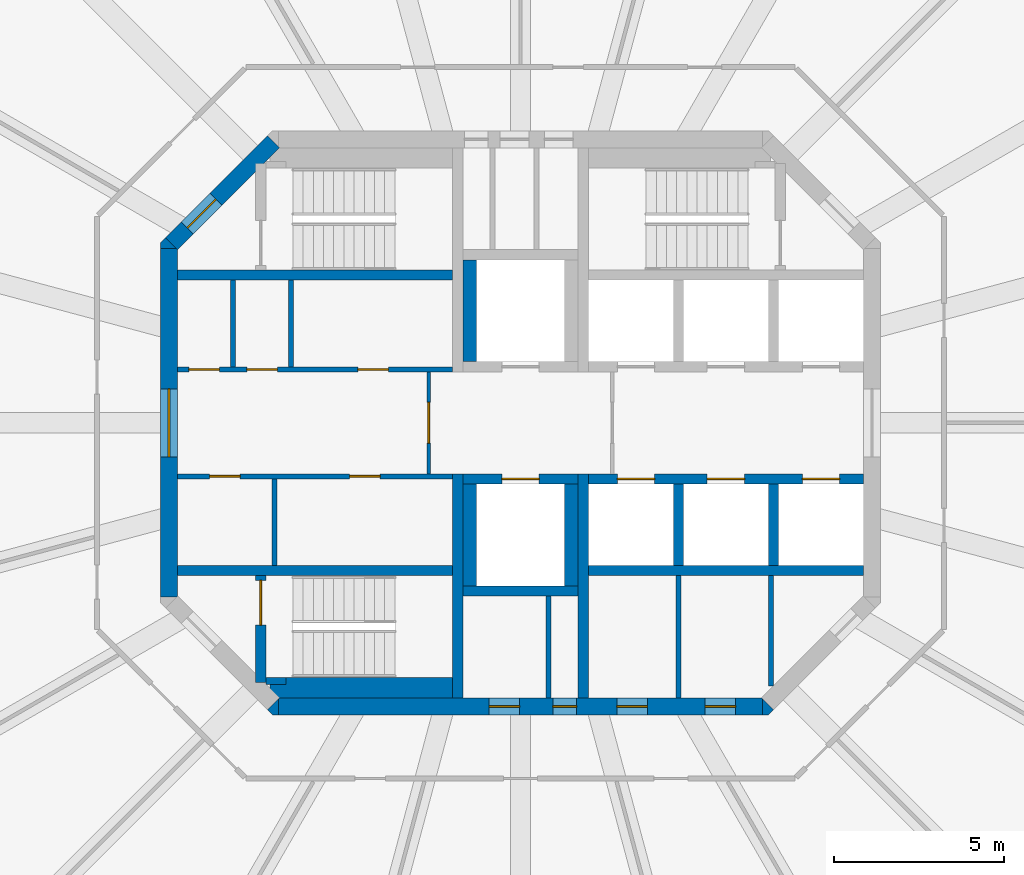
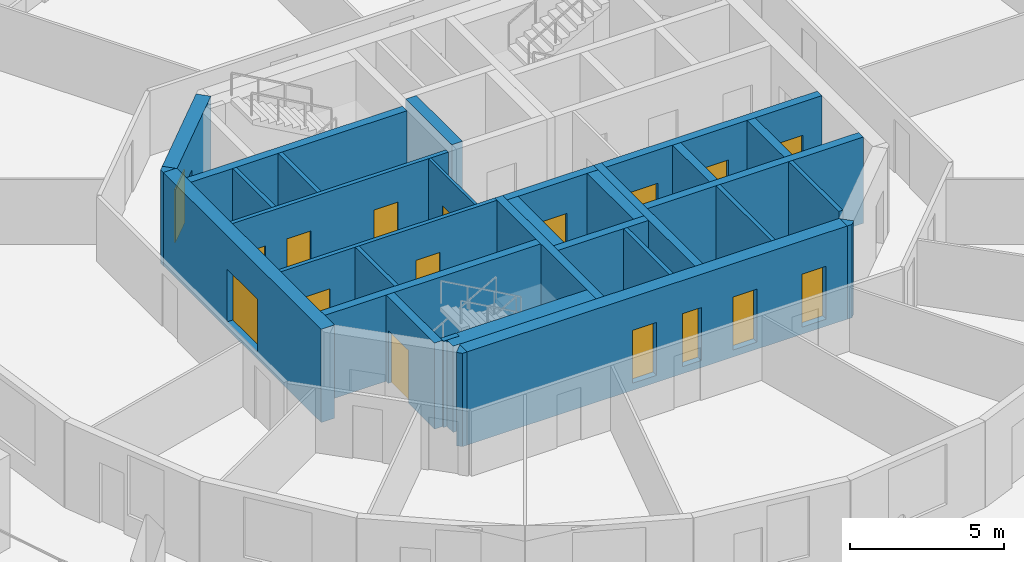
# One storey, part 3 of 8: 31 walls, 17 doors, 17 openings.
"""IFC4 building model written with IfcOpenShell, lengths in metres."""

from ifc_helpers import new_model, si_unit, direction, frame, frame_2d, origin, place, context, subcontext, project, spatial, polyline, rectangle, outline, extrude, material, layer, layer_set, type_object, element, fill, save


model = new_model("IFC4")

# Units and contexts
model_context = context("Model", 3, precision=1e-05, world=origin(), true_north=direction((0.0, 1.0)))
body_context = subcontext(model_context, "Body", "Model", "MODEL_VIEW")
ifc_project = project(units=[si_unit("LENGTHUNIT", "METRE"), si_unit("AREAUNIT", "SQUARE_METRE"), si_unit("VOLUMEUNIT", "CUBIC_METRE"), si_unit("PLANEANGLEUNIT", "RADIAN"), si_unit("MASSUNIT", "GRAM", prefix="KILO")], contexts=[model_context])

# Site, building, storey
site_placement = place(None, origin())
site = spatial("IfcSite", under=ifc_project, at=site_placement, CompositionType="ELEMENT")
building_placement = place(site_placement, origin())
building = spatial("IfcBuilding", under=site, at=building_placement, Name="Torre Triforio", CompositionType="ELEMENT")
storey_placement = place(building_placement, frame((0.0, 0.0, 261.199951171875)))
storey = spatial("IfcBuildingStorey", under=building, at=storey_placement, Name="L60", CompositionType="ELEMENT", Elevation=261.199951171875)

# Walls
ifc_material_1 = material(Name="Concrete C40", Category="concrete")
ifc_layer_1 = layer(ifc_material_1, 0.300048828125)
ifc_layer_set_1 = layer_set([ifc_layer_1], Name="Concrete C40")
wall_type_1 = type_object("IfcWallType", Name="Core wall 300 mm C40 EI 120", PredefinedType="SHEAR", material=ifc_layer_set_1)
for number, where, z_axis, x_axis, name in (
    (1, (-1.85009765625, -8.10009765625, 0.0), (0.0, 0.0, 1.0), (0.0, 1.0, 0.0), "Core wall"),
    (2, (1.85009765625, -8.10009765625, 0.0), (0.0, 0.0, 1.0), (0.0, 1.0, 0.0), "Core wall"),
):
    element("IfcWall", number, at=place(storey_placement, frame(where, z_axis=z_axis, x_axis=x_axis)), inside=storey, type_object=wall_type_1, Name=name, PredefinedType="SHEAR", context=body_context, shape_type="SweptSolid", body=[
        extrude(rectangle(XDim=6.60009765625, YDim=0.300048828125, at=frame_2d((3.300048828125, 0.0))), origin(), (0.0, 0.0, 1.0), 3.420166015625),
    ])

# Wall, openings, doors
ifc_layer_2 = layer(ifc_material_1, 0.5)
ifc_layer_set_2 = layer_set([ifc_layer_2], Name="Concrete C40")
wall_type_2 = type_object("IfcWallType", Name="Core wall 500 mm C40 EI 120", PredefinedType="SHEAR", material=ifc_layer_set_2)
wall_1_placement = place(storey_placement, frame((-7.1298828125, -8.35009765625, -0.280029296875), z_axis=(0.0, 0.0, 1.0), x_axis=(1.0, 0.0, 0.0)))
wall_1 = element("IfcWall", 3, at=wall_1_placement, inside=storey, type_object=wall_type_2, Name="Core wall", PredefinedType="SHEAR", context=body_context, shape_type="SweptSolid", body=[
    extrude(rectangle(XDim=14.259765625, YDim=0.5, at=frame_2d((7.1298828125, 0.0))), origin(), (0.0, 0.0, 1.0), 3.7001953125),
])
opening_1_placement = place(wall_1_placement, frame((8.080078125, 0.0, 0.280029296875)))
opening_1 = element("IfcOpeningElement", 4, at=opening_1_placement, cuts=wall_1, Name="Opening RISER-S", PredefinedType="OPENING", context=body_context, shape_type="SweptSolid", body=[
    extrude(rectangle(XDim=0.699951171875, YDim=2.10009765625, at=frame_2d((0.35009765625, 1.050048828125))), frame((0.0, 0.260009765625, 0.0), z_axis=(0.0, -1.0, 0.0), x_axis=(1.0, 0.0, 0.0)), (0.0, 0.0, 1.0), 0.52001953125),
])
opening_2_placement = place(wall_1_placement, frame((6.205078125, 0.0, 0.280029296875)))
opening_2 = element("IfcOpeningElement", 5, at=opening_2_placement, cuts=wall_1, Name="Opening SW-01B", PredefinedType="OPENING", context=body_context, shape_type="SweptSolid", body=[
    extrude(rectangle(XDim=0.89990234375, YDim=2.10009765625, at=frame_2d((0.449951171875, 1.050048828125))), frame((0.0, 0.260009765625, 0.0), z_axis=(0.0, -1.0, 0.0), x_axis=(1.0, 0.0, 0.0)), (0.0, 0.0, 1.0), 0.52001953125),
])
opening_3_placement = place(wall_1_placement, frame((9.967041015625, 0.0, 0.280029296875)))
opening_3 = element("IfcOpeningElement", 6, at=opening_3_placement, cuts=wall_1, Name="Opening SE-01A", PredefinedType="OPENING", context=body_context, shape_type="SweptSolid", body=[
    extrude(rectangle(XDim=0.89990234375, YDim=2.10009765625, at=frame_2d((0.449951171875, 1.050048828125))), frame((0.0, 0.260009765625, 0.0), z_axis=(0.0, -1.0, 0.0), x_axis=(1.0, 0.0, 0.0)), (0.0, 0.0, 1.0), 0.52001953125),
])
opening_4_placement = place(wall_1_placement, frame((12.56689453125, 0.0, 0.280029296875)))
opening_4 = element("IfcOpeningElement", 7, at=opening_4_placement, cuts=wall_1, Name="Opening SE-02", PredefinedType="OPENING", context=body_context, shape_type="SweptSolid", body=[
    extrude(rectangle(XDim=0.89990234375, YDim=2.10009765625, at=frame_2d((0.449951171875, 1.050048828125))), frame((0.0, 0.260009765625, 0.0), z_axis=(0.0, -1.0, 0.0), x_axis=(1.0, 0.0, 0.0)), (0.0, 0.0, 1.0), 0.52001953125),
])
ifc_material_2 = material(Name="Hollow metal fire door leaf")
door_type_1 = type_object("IfcDoorType", Name="Riser door 700 x 2100 EI 60", OperationType="NOTDEFINED", PredefinedType="DOOR", material=ifc_material_2)
door_1_placement = place(opening_1_placement, origin())
door_1 = element("IfcDoor", 8, at=door_1_placement, inside=storey, type_object=door_type_1, Name="Core door RISER-S", OperationType="SINGLE_SWING_RIGHT", OverallHeight=2.10009765625, OverallWidth=0.699951171875, PredefinedType="DOOR", context=body_context, shape_type="SweptSolid", body=[
    extrude(rectangle(XDim=0.699951171875, YDim=2.10009765625, at=frame_2d((0.35009765625, 1.050048828125))), frame((0.0, 0.02490234375, 0.0), z_axis=(0.0, -1.0, 0.0), x_axis=(1.0, 0.0, 0.0)), (0.0, 0.0, 1.0), 0.050048828125),
])
fill(opening_1, door_1)
door_type_2 = type_object("IfcDoorType", Name="Room door 900 x 2100 EI 60", OperationType="NOTDEFINED", PredefinedType="DOOR", material=ifc_material_2)
door_2_placement = place(opening_2_placement, origin())
door_2 = element("IfcDoor", 9, at=door_2_placement, inside=storey, type_object=door_type_2, Name="Core door SW-01", OperationType="SINGLE_SWING_LEFT", OverallHeight=2.10009765625, OverallWidth=0.89990234375, PredefinedType="DOOR", context=body_context, shape_type="SweptSolid", body=[
    extrude(rectangle(XDim=0.89990234375, YDim=2.10009765625, at=frame_2d((0.449951171875, 1.050048828125))), frame((0.0, 0.02490234375, 0.0), z_axis=(0.0, -1.0, 0.0), x_axis=(1.0, 0.0, 0.0)), (0.0, 0.0, 1.0), 0.050048828125),
])
fill(opening_2, door_2)
door_3_placement = place(opening_3_placement, origin())
door_3 = element("IfcDoor", 10, at=door_3_placement, inside=storey, type_object=door_type_2, Name="Core door SE-01", OperationType="SINGLE_SWING_LEFT", OverallHeight=2.10009765625, OverallWidth=0.89990234375, PredefinedType="DOOR", context=body_context, shape_type="SweptSolid", body=[
    extrude(rectangle(XDim=0.89990234375, YDim=2.10009765625, at=frame_2d((0.449951171875, 1.050048828125))), frame((0.0, 0.02490234375, 0.0), z_axis=(0.0, -1.0, 0.0), x_axis=(1.0, 0.0, 0.0)), (0.0, 0.0, 1.0), 0.050048828125),
])
fill(opening_3, door_3)
door_4_placement = place(opening_4_placement, origin())
door_4 = element("IfcDoor", 11, at=door_4_placement, inside=storey, type_object=door_type_2, Name="Core door SE-02", OperationType="SINGLE_SWING_LEFT", OverallHeight=2.10009765625, OverallWidth=0.89990234375, PredefinedType="DOOR", context=body_context, shape_type="SweptSolid", body=[
    extrude(rectangle(XDim=0.89990234375, YDim=2.10009765625, at=frame_2d((0.449951171875, 1.050048828125))), frame((0.0, 0.02490234375, 0.0), z_axis=(0.0, -1.0, 0.0), x_axis=(1.0, 0.0, 0.0)), (0.0, 0.0, 1.0), 0.050048828125),
])
fill(opening_4, door_4)

# Wall, opening, door
wall_2_placement = place(storey_placement, frame((-10.35009765625, -5.1298828125, -0.280029296875), z_axis=(0.0, 0.0, 1.0), x_axis=(0.0, 1.0, 0.0)))
wall_2 = element("IfcWall", 12, at=wall_2_placement, inside=storey, type_object=wall_type_2, Name="Core wall", PredefinedType="SHEAR", context=body_context, shape_type="SweptSolid", body=[
    extrude(rectangle(XDim=10.259765625, YDim=0.5, at=frame_2d((5.1298828125, 0.0))), origin(), (0.0, 0.0, 1.0), 3.7001953125),
])
opening_5_placement = place(wall_2_placement, frame((4.1298828125, 0.0, 0.280029296875)))
opening_5 = element("IfcOpeningElement", 13, at=opening_5_placement, cuts=wall_2, Name="Opening W-RING", PredefinedType="OPENING", context=body_context, shape_type="SweptSolid", body=[
    extrude(rectangle(XDim=2.0, YDim=2.10009765625, at=frame_2d((1.0, 1.050048828125))), frame((0.0, 0.260009765625, 0.0), z_axis=(0.0, -1.0, 0.0), x_axis=(1.0, 0.0, 0.0)), (0.0, 0.0, 1.0), 0.52001953125),
])
door_type_3 = type_object("IfcDoorType", Name="Lobby door 2000 x 2100 EI 60", OperationType="DOUBLE_DOOR_SINGLE_SWING", PredefinedType="DOOR", material=ifc_material_2)
door_5_placement = place(opening_5_placement, origin())
door_5 = element("IfcDoor", 14, at=door_5_placement, inside=storey, type_object=door_type_3, Name="Core door W-RING", OperationType="DOUBLE_DOOR_SINGLE_SWING", OverallHeight=2.10009765625, OverallWidth=2.0, PredefinedType="DOOR", context=body_context, shape_type="SweptSolid", body=[
    extrude(rectangle(XDim=2.0, YDim=2.10009765625, at=frame_2d((1.0, 1.050048828125))), frame((0.0, 0.02490234375, 0.0), z_axis=(0.0, -1.0, 0.0), x_axis=(1.0, 0.0, 0.0)), (0.0, 0.0, 1.0), 0.050048828125),
])
fill(opening_5, door_5)

wall_3_placement = place(storey_placement, frame((-10.27685546875, 5.27685546875, -0.280029296875), z_axis=(0.0, 0.0, 1.0), x_axis=(0.707106781187, 0.707106781187, 0.0)))
wall_3 = element("IfcWall", 15, at=wall_3_placement, inside=storey, type_object=wall_type_2, Name="Core wall", PredefinedType="SHEAR", context=body_context, shape_type="SweptSolid", body=[
    extrude(rectangle(XDim=4.24267578125, YDim=0.5, at=frame_2d((2.121337890625, 0.0))), origin(), (0.0, 0.0, 1.0), 3.7001953125),
])
opening_6_placement = place(wall_3_placement, frame((0.64990234375, 0.0, 0.280029296875)))
opening_6 = element("IfcOpeningElement", 16, at=opening_6_placement, cuts=wall_3, Name="Opening ST1-EXIT", PredefinedType="OPENING", context=body_context, shape_type="SweptSolid", body=[
    extrude(rectangle(XDim=1.199951171875, YDim=2.10009765625, at=frame_2d((0.60009765625, 1.050048828125))), frame((0.0, 0.260009765625, 0.0), z_axis=(0.0, -1.0, 0.0), x_axis=(1.0, 0.0, 0.0)), (0.0, 0.0, 1.0), 0.52001953125),
])
door_type_4 = type_object("IfcDoorType", Name="Stair lobby door 1200 x 2100 EI 60", OperationType="NOTDEFINED", PredefinedType="DOOR", material=ifc_material_2)
door_6_placement = place(opening_6_placement, origin())
door_6 = element("IfcDoor", 17, at=door_6_placement, inside=storey, type_object=door_type_4, Name="Core door ST1-EXIT", OperationType="SINGLE_SWING_RIGHT", OverallHeight=2.10009765625, OverallWidth=1.199951171875, PredefinedType="DOOR", context=body_context, shape_type="SweptSolid", body=[
    extrude(rectangle(XDim=1.199951171875, YDim=2.10009765625, at=frame_2d((0.60009765625, 1.050048828125))), frame((0.0, 0.02490234375, 0.0), z_axis=(0.0, -1.0, 0.0), x_axis=(1.0, 0.0, 0.0)), (0.0, 0.0, 1.0), 0.050048828125),
])
fill(opening_6, door_6)

# Walls
wall_4_placement = place(storey_placement, frame((0.0, 0.0, -0.280029296875)))
element("IfcWall", 18, at=wall_4_placement, inside=storey, type_object=wall_type_2, Name="Core wall", PredefinedType="SHEAR", context=body_context, shape_type="SweptSolid", body=[
    extrude(outline(polyline([(-7.30712890625, -8.60009765625), (-7.45361328125, -8.45361328125), (-7.1298828125, -8.1298828125), (-7.1298828125, -8.60009765625), (-7.30712890625, -8.60009765625)])), origin(), (0.0, 0.0, 1.0), 3.7001953125),
])
wall_5_placement = place(storey_placement, frame((0.0, 0.0, -0.280029296875)))
element("IfcWall", 19, at=wall_5_placement, inside=storey, type_object=wall_type_2, Name="Core wall", PredefinedType="SHEAR", context=body_context, shape_type="SweptSolid", body=[
    extrude(outline(polyline([(7.30712890625, -8.60009765625), (7.1298828125, -8.60009765625), (7.1298828125, -8.1298828125), (7.45361328125, -8.45361328125), (7.30712890625, -8.60009765625)])), origin(), (0.0, 0.0, 1.0), 3.7001953125),
])
wall_6_placement = place(storey_placement, frame((0.0, 0.0, -0.280029296875)))
element("IfcWall", 20, at=wall_6_placement, inside=storey, type_object=wall_type_2, Name="Core wall", PredefinedType="SHEAR", context=body_context, shape_type="SweptSolid", body=[
    extrude(outline(polyline([(-10.45361328125, 5.45361328125), (-10.1298828125, 5.1298828125), (-10.60009765625, 5.1298828125), (-10.60009765625, 5.30712890625), (-10.45361328125, 5.45361328125)])), origin(), (0.0, 0.0, 1.0), 3.7001953125),
])

# Wall, opening, door
ifc_material_3 = material(Name="Block and board partition")
ifc_layer_3 = layer(ifc_material_3, 0.10009765625)
ifc_layer_set_3 = layer_set([ifc_layer_3], Name="Block and board partition")
wall_type_3 = type_object("IfcWallType", Name="Partition 100 mm EI 120", PredefinedType="PARTITIONING", material=ifc_layer_set_3)
wall_7_placement = place(storey_placement, frame((-2.699951171875, -1.5, 0.0), z_axis=(0.0, 0.0, 1.0), x_axis=(0.0, 1.0, 0.0)))
wall_7 = element("IfcWall", 21, at=wall_7_placement, inside=storey, type_object=wall_type_3, Name="Partition", PredefinedType="PARTITIONING", context=body_context, shape_type="SweptSolid", body=[
    extrude(rectangle(XDim=3.0, YDim=0.10009765625, at=frame_2d((1.5, 0.0))), origin(), (0.0, 0.0, 1.0), 3.420166015625),
])
opening_7_placement = place(wall_7_placement, frame((0.89990234375, 0.0, 0.0)))
opening_7 = element("IfcOpeningElement", 22, at=opening_7_placement, cuts=wall_7, Name="Opening FF-W", PredefinedType="OPENING", context=body_context, shape_type="SweptSolid", body=[
    extrude(rectangle(XDim=1.199951171875, YDim=2.10009765625, at=frame_2d((0.60009765625, 1.050048828125))), frame((0.0, 0.06005859375, 0.0), z_axis=(0.0, -1.0, 0.0), x_axis=(1.0, 0.0, 0.0)), (0.0, 0.0, 1.0), 0.1201171875),
])
door_type_5 = type_object("IfcDoorType", Name="Fire-fighting lobby door 1200 x 2100 EI 60", OperationType="NOTDEFINED", PredefinedType="DOOR", material=ifc_material_2)
door_7_placement = place(opening_7_placement, origin())
door_7 = element("IfcDoor", 23, at=door_7_placement, inside=storey, type_object=door_type_5, Name="Core door FF-W", OperationType="SINGLE_SWING_LEFT", OverallHeight=2.10009765625, OverallWidth=1.199951171875, PredefinedType="DOOR", context=body_context, shape_type="SweptSolid", body=[
    extrude(rectangle(XDim=1.199951171875, YDim=2.10009765625, at=frame_2d((0.60009765625, 1.050048828125))), frame((0.0, 0.02490234375, 0.0), z_axis=(0.0, -1.0, 0.0), x_axis=(1.0, 0.0, 0.0)), (0.0, 0.0, 1.0), 0.050048828125),
])
fill(opening_7, door_7)

# Walls
ifc_layer_4 = layer(ifc_material_3, 0.14990234375)
ifc_layer_set_4 = layer_set([ifc_layer_4], Name="Block and board partition")
wall_type_4 = type_object("IfcWallType", Name="Partition 150 mm", PredefinedType="PARTITIONING", material=ifc_layer_set_4)
wall_8_placement = place(storey_placement, frame((4.64892578125, -8.10009765625, 0.0), z_axis=(0.0, 0.0, 1.0), x_axis=(0.0, 1.0, 0.0)))
element("IfcWall", 24, at=wall_8_placement, inside=storey, type_object=wall_type_4, Name="Partition", PredefinedType="PARTITIONING", context=body_context, shape_type="SweptSolid", body=[
    extrude(rectangle(XDim=3.60009765625, YDim=0.14990234375, at=frame_2d((1.800048828125, 0.0))), origin(), (0.0, 0.0, 1.0), 3.420166015625),
])
wall_9_placement = place(storey_placement, frame((7.373046875, -7.751953125, 0.0), z_axis=(0.0, 0.0, 1.0), x_axis=(0.0, 1.0, 0.0)))
element("IfcWall", 25, at=wall_9_placement, inside=storey, type_object=wall_type_4, Name="Partition", PredefinedType="PARTITIONING", context=body_context, shape_type="SweptSolid", body=[
    extrude(rectangle(XDim=3.251953125, YDim=0.14990234375, at=frame_2d((1.6259765625, 0.0))), origin(), (0.0, 0.0, 1.0), 3.420166015625),
])
for number, where, z_axis, x_axis, name in (
    (26, (-8.465087890625, 1.64990234375, 0.0), (0.0, 0.0, 1.0), (0.0, 1.0, 0.0), "Partition"),
    (27, (-6.7548828125, 1.64990234375, 0.0), (0.0, 0.0, 1.0), (0.0, 1.0, 0.0), "Partition"),
    (28, (-7.242431640625, -4.199951171875, 0.0), (0.0, 0.0, 1.0), (0.0, 1.0, 0.0), "Partition"),
):
    element("IfcWall", number, at=place(storey_placement, frame(where, z_axis=z_axis, x_axis=x_axis)), inside=storey, type_object=wall_type_4, Name=name, PredefinedType="PARTITIONING", context=body_context, shape_type="SweptSolid", body=[
        extrude(rectangle(XDim=2.550048828125, YDim=0.14990234375, at=frame_2d((1.27490234375, 0.0))), origin(), (0.0, 0.0, 1.0), 3.420166015625),
    ])
ifc_layer_5 = layer(ifc_material_3, 0.14990234375)
ifc_layer_set_5 = layer_set([ifc_layer_5], Name="Block and board partition")
wall_type_5 = type_object("IfcWallType", Name="Partition 150 mm EI 120", PredefinedType="PARTITIONING", material=ifc_layer_set_5)
wall_10_placement = place(storey_placement, frame((0.824951171875, -8.10009765625, 0.0), z_axis=(0.0, 0.0, 1.0), x_axis=(0.0, 1.0, 0.0)))
element("IfcWall", 29, at=wall_10_placement, inside=storey, type_object=wall_type_5, Name="Partition", PredefinedType="PARTITIONING", context=body_context, shape_type="SweptSolid", body=[
    extrude(rectangle(XDim=3.0, YDim=0.14990234375, at=frame_2d((1.5, 0.0))), origin(), (0.0, 0.0, 1.0), 3.420166015625),
])

# Wall, openings, doors
wall_11_placement = place(storey_placement, frame((-10.10009765625, 1.574951171875, 0.0), z_axis=(0.0, 0.0, 1.0), x_axis=(1.0, 0.0, 0.0)))
wall_11 = element("IfcWall", 30, at=wall_11_placement, inside=storey, type_object=wall_type_5, Name="Partition", PredefinedType="PARTITIONING", context=body_context, shape_type="SweptSolid", body=[
    extrude(rectangle(XDim=8.10009765625, YDim=0.14990234375, at=frame_2d((4.050048828125, 0.0))), origin(), (0.0, 0.0, 1.0), 3.420166015625),
])
opening_8_placement = place(wall_11_placement, frame((0.330078125, 0.0, 0.0)))
opening_8 = element("IfcOpeningElement", 31, at=opening_8_placement, cuts=wall_11, Name="Opening FN-01", PredefinedType="OPENING", context=body_context, shape_type="SweptSolid", body=[
    extrude(rectangle(XDim=0.89990234375, YDim=2.10009765625, at=frame_2d((0.449951171875, 1.050048828125))), frame((0.0, 0.0849609375, 0.0), z_axis=(0.0, -1.0, 0.0), x_axis=(1.0, 0.0, 0.0)), (0.0, 0.0, 1.0), 0.169921875),
])
opening_9_placement = place(wall_11_placement, frame((2.0400390625, 0.0, 0.0)))
opening_9 = element("IfcOpeningElement", 32, at=opening_9_placement, cuts=wall_11, Name="Opening FN-02", PredefinedType="OPENING", context=body_context, shape_type="SweptSolid", body=[
    extrude(rectangle(XDim=0.89990234375, YDim=2.10009765625, at=frame_2d((0.449951171875, 1.050048828125))), frame((0.0, 0.0849609375, 0.0), z_axis=(0.0, -1.0, 0.0), x_axis=(1.0, 0.0, 0.0)), (0.0, 0.0, 1.0), 0.169921875),
])
opening_10_placement = place(wall_11_placement, frame((5.31005859375, 0.0, 0.0)))
opening_10 = element("IfcOpeningElement", 33, at=opening_10_placement, cuts=wall_11, Name="Opening FN-03", PredefinedType="OPENING", context=body_context, shape_type="SweptSolid", body=[
    extrude(rectangle(XDim=0.89990234375, YDim=2.10009765625, at=frame_2d((0.449951171875, 1.050048828125))), frame((0.0, 0.0849609375, 0.0), z_axis=(0.0, -1.0, 0.0), x_axis=(1.0, 0.0, 0.0)), (0.0, 0.0, 1.0), 0.169921875),
])
door_8_placement = place(opening_8_placement, origin())
door_8 = element("IfcDoor", 34, at=door_8_placement, inside=storey, type_object=door_type_2, Name="Core door FN-01", OperationType="SINGLE_SWING_RIGHT", OverallHeight=2.10009765625, OverallWidth=0.89990234375, PredefinedType="DOOR", context=body_context, shape_type="SweptSolid", body=[
    extrude(rectangle(XDim=0.89990234375, YDim=2.10009765625, at=frame_2d((0.449951171875, 1.050048828125))), frame((0.0, 0.02490234375, 0.0), z_axis=(0.0, -1.0, 0.0), x_axis=(1.0, 0.0, 0.0)), (0.0, 0.0, 1.0), 0.050048828125),
])
fill(opening_8, door_8)
door_9_placement = place(opening_9_placement, origin())
door_9 = element("IfcDoor", 35, at=door_9_placement, inside=storey, type_object=door_type_2, Name="Core door FN-02", OperationType="SINGLE_SWING_RIGHT", OverallHeight=2.10009765625, OverallWidth=0.89990234375, PredefinedType="DOOR", context=body_context, shape_type="SweptSolid", body=[
    extrude(rectangle(XDim=0.89990234375, YDim=2.10009765625, at=frame_2d((0.449951171875, 1.050048828125))), frame((0.0, 0.02490234375, 0.0), z_axis=(0.0, -1.0, 0.0), x_axis=(1.0, 0.0, 0.0)), (0.0, 0.0, 1.0), 0.050048828125),
])
fill(opening_9, door_9)
door_10_placement = place(opening_10_placement, origin())
door_10 = element("IfcDoor", 36, at=door_10_placement, inside=storey, type_object=door_type_2, Name="Core door FN-03", OperationType="SINGLE_SWING_RIGHT", OverallHeight=2.10009765625, OverallWidth=0.89990234375, PredefinedType="DOOR", context=body_context, shape_type="SweptSolid", body=[
    extrude(rectangle(XDim=0.89990234375, YDim=2.10009765625, at=frame_2d((0.449951171875, 1.050048828125))), frame((0.0, 0.02490234375, 0.0), z_axis=(0.0, -1.0, 0.0), x_axis=(1.0, 0.0, 0.0)), (0.0, 0.0, 1.0), 0.050048828125),
])
fill(opening_10, door_10)

wall_12_placement = place(storey_placement, frame((-10.10009765625, -1.574951171875, 0.0), z_axis=(0.0, 0.0, 1.0), x_axis=(1.0, 0.0, 0.0)))
wall_12 = element("IfcWall", 37, at=wall_12_placement, inside=storey, type_object=wall_type_5, Name="Partition", PredefinedType="PARTITIONING", context=body_context, shape_type="SweptSolid", body=[
    extrude(rectangle(XDim=8.10009765625, YDim=0.14990234375, at=frame_2d((4.050048828125, 0.0))), origin(), (0.0, 0.0, 1.0), 3.420166015625),
])
opening_11_placement = place(wall_12_placement, frame((0.941162109375, 0.0, 0.0)))
opening_11 = element("IfcOpeningElement", 38, at=opening_11_placement, cuts=wall_12, Name="Opening FS-01", PredefinedType="OPENING", context=body_context, shape_type="SweptSolid", body=[
    extrude(rectangle(XDim=0.89990234375, YDim=2.10009765625, at=frame_2d((0.449951171875, 1.050048828125))), frame((0.0, 0.0849609375, 0.0), z_axis=(0.0, -1.0, 0.0), x_axis=(1.0, 0.0, 0.0)), (0.0, 0.0, 1.0), 0.169921875),
])
opening_12_placement = place(wall_12_placement, frame((5.066162109375, 0.0, 0.0)))
opening_12 = element("IfcOpeningElement", 39, at=opening_12_placement, cuts=wall_12, Name="Opening FS-02", PredefinedType="OPENING", context=body_context, shape_type="SweptSolid", body=[
    extrude(rectangle(XDim=0.89990234375, YDim=2.10009765625, at=frame_2d((0.449951171875, 1.050048828125))), frame((0.0, 0.0849609375, 0.0), z_axis=(0.0, -1.0, 0.0), x_axis=(1.0, 0.0, 0.0)), (0.0, 0.0, 1.0), 0.169921875),
])
door_11_placement = place(opening_11_placement, origin())
door_11 = element("IfcDoor", 40, at=door_11_placement, inside=storey, type_object=door_type_2, Name="Core door FS-01", OperationType="SINGLE_SWING_LEFT", OverallHeight=2.10009765625, OverallWidth=0.89990234375, PredefinedType="DOOR", context=body_context, shape_type="SweptSolid", body=[
    extrude(rectangle(XDim=0.89990234375, YDim=2.10009765625, at=frame_2d((0.449951171875, 1.050048828125))), frame((0.0, 0.02490234375, 0.0), z_axis=(0.0, -1.0, 0.0), x_axis=(1.0, 0.0, 0.0)), (0.0, 0.0, 1.0), 0.050048828125),
])
fill(opening_11, door_11)
door_12_placement = place(opening_12_placement, origin())
door_12 = element("IfcDoor", 41, at=door_12_placement, inside=storey, type_object=door_type_2, Name="Core door FS-02", OperationType="SINGLE_SWING_LEFT", OverallHeight=2.10009765625, OverallWidth=0.89990234375, PredefinedType="DOOR", context=body_context, shape_type="SweptSolid", body=[
    extrude(rectangle(XDim=0.89990234375, YDim=2.10009765625, at=frame_2d((0.449951171875, 1.050048828125))), frame((0.0, 0.02490234375, 0.0), z_axis=(0.0, -1.0, 0.0), x_axis=(1.0, 0.0, 0.0)), (0.0, 0.0, 1.0), 0.050048828125),
])
fill(opening_12, door_12)

# Walls
ifc_layer_6 = layer(ifc_material_1, 0.300048828125)
ifc_layer_set_6 = layer_set([ifc_layer_6], Name="Concrete C40")
wall_type_6 = type_object("IfcWallType", Name="Shaft wall 300 mm C40 EI 120", PredefinedType="SOLIDWALL", material=ifc_layer_set_6)
for number, where, z_axis, x_axis, name in (
    (42, (-10.10009765625, 4.35009765625, 0.0), (0.0, 0.0, 1.0), (1.0, 0.0, 0.0), "Shaft wall"),
    (43, (-10.10009765625, -4.35009765625, 0.0), (0.0, 0.0, 1.0), (1.0, 0.0, 0.0), "Shaft wall"),
    (44, (2.0, -4.35009765625, 0.0), (0.0, 0.0, 1.0), (1.0, 0.0, 0.0), "Shaft wall"),
):
    element("IfcWall", number, at=place(storey_placement, frame(where, z_axis=z_axis, x_axis=x_axis)), inside=storey, type_object=wall_type_6, Name=name, PredefinedType="SOLIDWALL", context=body_context, shape_type="SweptSolid", body=[
        extrude(rectangle(XDim=8.10009765625, YDim=0.300048828125, at=frame_2d((4.050048828125, 0.0))), origin(), (0.0, 0.0, 1.0), 3.420166015625),
    ])

# Wall, openings, doors
wall_13_placement = place(storey_placement, frame((2.0, -1.64990234375, 0.0), z_axis=(0.0, 0.0, 1.0), x_axis=(1.0, 0.0, 0.0)))
wall_13 = element("IfcWall", 45, at=wall_13_placement, inside=storey, type_object=wall_type_6, Name="Shaft wall", PredefinedType="SOLIDWALL", context=body_context, shape_type="SweptSolid", body=[
    extrude(rectangle(XDim=8.10009765625, YDim=0.300048828125, at=frame_2d((4.050048828125, 0.0))), origin(), (0.0, 0.0, 1.0), 3.420166015625),
])
opening_13_placement = place(wall_13_placement, frame((0.85009765625, 0.0, 0.0)))
opening_13 = element("IfcOpeningElement", 46, at=opening_13_placement, cuts=wall_13, Name="Opening LD", PredefinedType="OPENING", context=body_context, shape_type="SweptSolid", body=[
    extrude(rectangle(XDim=1.10009765625, YDim=2.10009765625, at=frame_2d((0.550048828125, 1.050048828125))), frame((0.0, 0.159912109375, 0.0), z_axis=(0.0, -1.0, 0.0), x_axis=(1.0, 0.0, 0.0)), (0.0, 0.0, 1.0), 0.320068359375),
])
opening_14_placement = place(wall_13_placement, frame((3.5, 0.0, 0.0)))
opening_14 = element("IfcOpeningElement", 47, at=opening_14_placement, cuts=wall_13, Name="Opening LD", PredefinedType="OPENING", context=body_context, shape_type="SweptSolid", body=[
    extrude(rectangle(XDim=1.10009765625, YDim=2.10009765625, at=frame_2d((0.550048828125, 1.050048828125))), frame((0.0, 0.159912109375, 0.0), z_axis=(0.0, -1.0, 0.0), x_axis=(1.0, 0.0, 0.0)), (0.0, 0.0, 1.0), 0.320068359375),
])
opening_15_placement = place(wall_13_placement, frame((6.300048828125, 0.0, 0.0)))
opening_15 = element("IfcOpeningElement", 48, at=opening_15_placement, cuts=wall_13, Name="Opening LD", PredefinedType="OPENING", context=body_context, shape_type="SweptSolid", body=[
    extrude(rectangle(XDim=1.10009765625, YDim=2.10009765625, at=frame_2d((0.550048828125, 1.050048828125))), frame((0.0, 0.159912109375, 0.0), z_axis=(0.0, -1.0, 0.0), x_axis=(1.0, 0.0, 0.0)), (0.0, 0.0, 1.0), 0.320068359375),
])
door_type_6 = type_object("IfcDoorType", Name="Landing door 1100 x 2100 EI 60", OperationType="DOUBLE_DOOR_SLIDING", PredefinedType="DOOR", material=ifc_material_2)
door_13_placement = place(opening_13_placement, origin())
door_13 = element("IfcDoor", 49, at=door_13_placement, inside=storey, type_object=door_type_6, Name="Landing door HR4", OperationType="DOUBLE_DOOR_SLIDING", OverallHeight=2.10009765625, OverallWidth=1.10009765625, PredefinedType="DOOR", context=body_context, shape_type="SweptSolid", body=[
    extrude(rectangle(XDim=1.10009765625, YDim=2.10009765625, at=frame_2d((0.550048828125, 1.050048828125))), frame((0.0, 0.02490234375, 0.0), z_axis=(0.0, -1.0, 0.0), x_axis=(1.0, 0.0, 0.0)), (0.0, 0.0, 1.0), 0.050048828125),
])
fill(opening_13, door_13)
door_14_placement = place(opening_14_placement, origin())
door_14 = element("IfcDoor", 50, at=door_14_placement, inside=storey, type_object=door_type_6, Name="Landing door HR5", OperationType="DOUBLE_DOOR_SLIDING", OverallHeight=2.10009765625, OverallWidth=1.10009765625, PredefinedType="DOOR", context=body_context, shape_type="SweptSolid", body=[
    extrude(rectangle(XDim=1.10009765625, YDim=2.10009765625, at=frame_2d((0.550048828125, 1.050048828125))), frame((0.0, 0.02490234375, 0.0), z_axis=(0.0, -1.0, 0.0), x_axis=(1.0, 0.0, 0.0)), (0.0, 0.0, 1.0), 0.050048828125),
])
fill(opening_14, door_14)
door_15_placement = place(opening_15_placement, origin())
door_15 = element("IfcDoor", 51, at=door_15_placement, inside=storey, type_object=door_type_6, Name="Landing door HR6", OperationType="DOUBLE_DOOR_SLIDING", OverallHeight=2.10009765625, OverallWidth=1.10009765625, PredefinedType="DOOR", context=body_context, shape_type="SweptSolid", body=[
    extrude(rectangle(XDim=1.10009765625, YDim=2.10009765625, at=frame_2d((0.550048828125, 1.050048828125))), frame((0.0, 0.02490234375, 0.0), z_axis=(0.0, -1.0, 0.0), x_axis=(1.0, 0.0, 0.0)), (0.0, 0.0, 1.0), 0.050048828125),
])
fill(opening_15, door_15)

# Walls
for number, where, z_axis, x_axis, name in (
    (52, (4.64990234375, -4.199951171875, 0.0), (0.0, 0.0, 1.0), (0.0, 1.0, 0.0), "Shaft wall"),
    (53, (7.449951171875, -4.199951171875, 0.0), (0.0, 0.0, 1.0), (0.0, 1.0, 0.0), "Shaft wall"),
):
    element("IfcWall", number, at=place(storey_placement, frame(where, z_axis=z_axis, x_axis=x_axis)), inside=storey, type_object=wall_type_6, Name=name, PredefinedType="SOLIDWALL", context=body_context, shape_type="SweptSolid", body=[
        extrude(rectangle(XDim=2.39990234375, YDim=0.300048828125, at=frame_2d((1.199951171875, 0.0))), origin(), (0.0, 0.0, 1.0), 3.420166015625),
    ])

# Wall, opening, door
wall_14_placement = place(storey_placement, frame((-1.699951171875, -1.64990234375, 0.0), z_axis=(0.0, 0.0, 1.0), x_axis=(1.0, 0.0, 0.0)))
wall_14 = element("IfcWall", 54, at=wall_14_placement, inside=storey, type_object=wall_type_6, Name="Shaft wall", PredefinedType="SOLIDWALL", context=body_context, shape_type="SweptSolid", body=[
    extrude(rectangle(XDim=3.39990234375, YDim=0.300048828125, at=frame_2d((1.699951171875, 0.0))), origin(), (0.0, 0.0, 1.0), 3.420166015625),
])
opening_16_placement = place(wall_14_placement, frame((1.14990234375, 0.0, 0.0)))
opening_16 = element("IfcOpeningElement", 55, at=opening_16_placement, cuts=wall_14, Name="Opening LD", PredefinedType="OPENING", context=body_context, shape_type="SweptSolid", body=[
    extrude(rectangle(XDim=1.10009765625, YDim=2.10009765625, at=frame_2d((0.550048828125, 1.050048828125))), frame((0.0, 0.159912109375, 0.0), z_axis=(0.0, -1.0, 0.0), x_axis=(1.0, 0.0, 0.0)), (0.0, 0.0, 1.0), 0.320068359375),
])
door_16_placement = place(opening_16_placement, origin())
door_16 = element("IfcDoor", 56, at=door_16_placement, inside=storey, type_object=door_type_6, Name="Landing door FFL2", OperationType="DOUBLE_DOOR_SLIDING", OverallHeight=2.10009765625, OverallWidth=1.10009765625, PredefinedType="DOOR", context=body_context, shape_type="SweptSolid", body=[
    extrude(rectangle(XDim=1.10009765625, YDim=2.10009765625, at=frame_2d((0.550048828125, 1.050048828125))), frame((0.0, 0.02490234375, 0.0), z_axis=(0.0, -1.0, 0.0), x_axis=(1.0, 0.0, 0.0)), (0.0, 0.0, 1.0), 0.050048828125),
])
fill(opening_16, door_16)

# Walls
wall_15_placement = place(storey_placement, frame((-1.699951171875, -4.949951171875, 0.0), z_axis=(0.0, 0.0, 1.0), x_axis=(1.0, 0.0, 0.0)))
element("IfcWall", 57, at=wall_15_placement, inside=storey, type_object=wall_type_6, Name="Shaft wall", PredefinedType="SOLIDWALL", context=body_context, shape_type="SweptSolid", body=[
    extrude(rectangle(XDim=3.39990234375, YDim=0.300048828125, at=frame_2d((1.699951171875, 0.0))), origin(), (0.0, 0.0, 1.0), 3.420166015625),
])
ifc_layer_7 = layer(ifc_material_1, 0.39990234375)
ifc_layer_set_7 = layer_set([ifc_layer_7], Name="Concrete C40")
wall_type_7 = type_object("IfcWallType", Name="Shaft wall 400 mm C40 EI 120", PredefinedType="SOLIDWALL", material=ifc_layer_set_7)
for number, where, z_axis, x_axis, name in (
    (58, (-1.5, 1.800048828125, 0.0), (0.0, 0.0, 1.0), (0.0, 1.0, 0.0), "Shaft wall"),
    (59, (-1.5, -4.800048828125, 0.0), (0.0, 0.0, 1.0), (0.0, 1.0, 0.0), "Shaft wall"),
    (60, (1.5, -4.800048828125, 0.0), (0.0, 0.0, 1.0), (0.0, 1.0, 0.0), "Shaft wall"),
):
    element("IfcWall", number, at=place(storey_placement, frame(where, z_axis=z_axis, x_axis=x_axis)), inside=storey, type_object=wall_type_7, Name=name, PredefinedType="SOLIDWALL", context=body_context, shape_type="SweptSolid", body=[
        extrude(rectangle(XDim=3.0, YDim=0.39990234375, at=frame_2d((1.5, 0.0))), origin(), (0.0, 0.0, 1.0), 3.420166015625),
    ])
ifc_layer_8 = layer(ifc_material_1, 0.199951171875)
ifc_layer_set_8 = layer_set([ifc_layer_8], Name="Concrete C40")
wall_type_8 = type_object("IfcWallType", Name="Stair wall 200 mm C40 EI 120", PredefinedType="SHEAR", material=ifc_layer_set_8)
wall_16_placement = place(storey_placement, frame((-7.5, -7.60009765625, 0.0), z_axis=(0.0, 0.0, 1.0), x_axis=(1.0, 0.0, 0.0)))
element("IfcWall", 61, at=wall_16_placement, inside=storey, type_object=wall_type_8, Name="Stair wall", PredefinedType="SHEAR", context=body_context, shape_type="SweptSolid", body=[
    extrude(rectangle(XDim=0.60009765625, YDim=0.199951171875, at=frame_2d((0.300048828125, 0.0))), origin(), (0.0, 0.0, 1.0), 3.420166015625),
])

# Wall, opening, door
ifc_layer_9 = layer(ifc_material_1, 0.300048828125)
ifc_layer_set_9 = layer_set([ifc_layer_9], Name="Concrete C40")
wall_type_9 = type_object("IfcWallType", Name="Stair wall 300 mm C40 EI 120", PredefinedType="SHEAR", material=ifc_layer_set_9)
wall_17_placement = place(storey_placement, frame((-7.64990234375, -7.639892578125, 0.0), z_axis=(0.0, 0.0, 1.0), x_axis=(0.0, 1.0, 0.0)))
wall_17 = element("IfcWall", 62, at=wall_17_placement, inside=storey, type_object=wall_type_9, Name="Stair wall", PredefinedType="SHEAR", context=body_context, shape_type="SweptSolid", body=[
    extrude(rectangle(XDim=3.139892578125, YDim=0.300048828125, at=frame_2d((1.56982421875, 0.0))), origin(), (0.0, 0.0, 1.0), 3.420166015625),
])
opening_17_placement = place(wall_17_placement, frame((1.679931640625, 0.0, 0.0)))
opening_17 = element("IfcOpeningElement", 63, at=opening_17_placement, cuts=wall_17, Name="Opening ST3-STA", PredefinedType="OPENING", context=body_context, shape_type="SweptSolid", body=[
    extrude(rectangle(XDim=1.320068359375, YDim=2.10009765625, at=frame_2d((0.66015625, 1.050048828125))), frame((0.0, 0.159912109375, 0.0), z_axis=(0.0, -1.0, 0.0), x_axis=(1.0, 0.0, 0.0)), (0.0, 0.0, 1.0), 0.320068359375),
])
door_type_7 = type_object("IfcDoorType", Name="Stair door 1320 x 2100 EI 90", OperationType="DOUBLE_DOOR_SINGLE_SWING", PredefinedType="DOOR", material=ifc_material_2)
door_17_placement = place(opening_17_placement, origin())
door_17 = element("IfcDoor", 64, at=door_17_placement, inside=storey, type_object=door_type_7, Name="Core door ST3-ST", OperationType="DOUBLE_DOOR_SINGLE_SWING", OverallHeight=2.10009765625, OverallWidth=1.320068359375, PredefinedType="DOOR", context=body_context, shape_type="SweptSolid", body=[
    extrude(rectangle(XDim=1.320068359375, YDim=2.10009765625, at=frame_2d((0.66015625, 1.050048828125))), frame((0.0, 0.02490234375, 0.0), z_axis=(0.0, -1.0, 0.0), x_axis=(1.0, 0.0, 0.0)), (0.0, 0.0, 1.0), 0.050048828125),
])
fill(opening_17, door_17)

# Wall
ifc_layer_10 = layer(ifc_material_1, 0.60009765625)
ifc_layer_set_10 = layer_set([ifc_layer_10], Name="Concrete C40")
wall_type_10 = type_object("IfcWallType", Name="Stair wall 600 mm C40 EI 120", PredefinedType="SHEAR", material=ifc_layer_set_10)
wall_18_placement = place(storey_placement, frame((-7.3701171875, -7.800048828125, 0.0), z_axis=(0.0, 0.0, 1.0), x_axis=(1.0, 0.0, 0.0)))
element("IfcWall", 65, at=wall_18_placement, inside=storey, type_object=wall_type_10, Name="Stair wall", PredefinedType="SHEAR", context=body_context, shape_type="SweptSolid", body=[
    extrude(rectangle(XDim=5.3701171875, YDim=0.60009765625, at=frame_2d((2.68505859375, 0.0))), origin(), (0.0, 0.0, 1.0), 3.420166015625),
])

save(model, "model.ifc")
